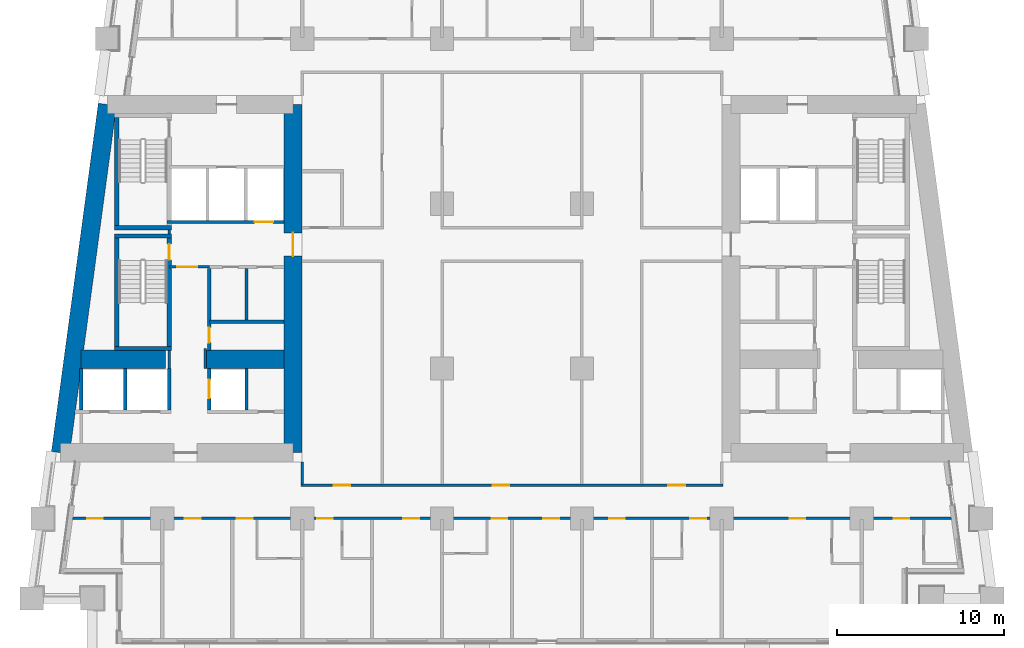
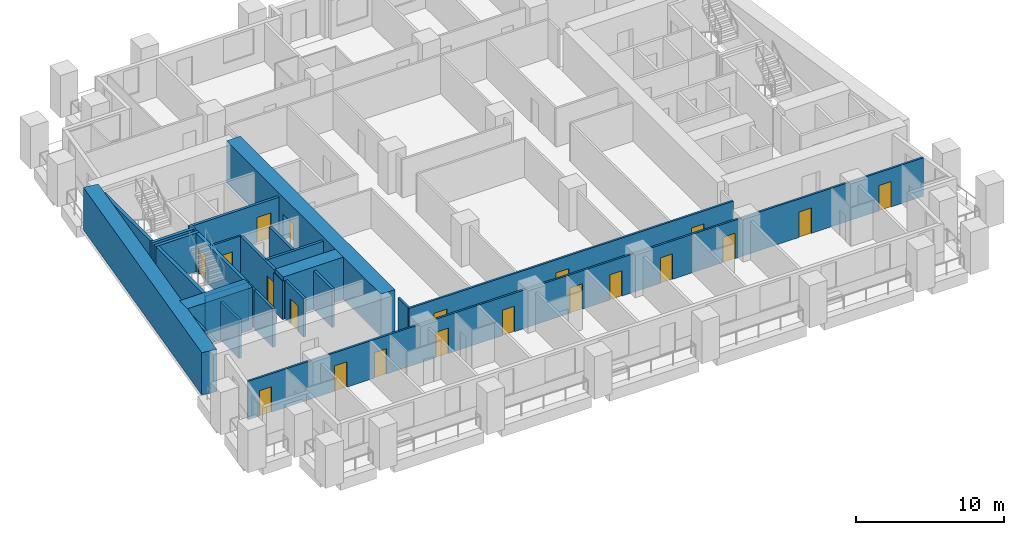
# One storey, part 3 of 12: 26 walls, 20 doors, 20 openings.
"""IFC4 building model written with IfcOpenShell, lengths in metres."""

from ifc_helpers import new_model, si_unit, direction, frame, frame_2d, origin, place, context, subcontext, project, spatial, rectangle, extrude, material, layer, layer_set, type_object, element, fill, save


model = new_model("IFC4")

# Units and contexts
model_context = context("Model", 3, precision=1e-05, world=origin(), true_north=direction((0.0, 1.0)))
body_context = subcontext(model_context, "Body", "Model", "MODEL_VIEW")
ifc_project = project(units=[si_unit("LENGTHUNIT", "METRE"), si_unit("AREAUNIT", "SQUARE_METRE"), si_unit("VOLUMEUNIT", "CUBIC_METRE"), si_unit("PLANEANGLEUNIT", "RADIAN"), si_unit("MASSUNIT", "GRAM", prefix="KILO")], contexts=[model_context])

# Site, building, storey
site_placement = place(None, origin())
site = spatial("IfcSite", under=ifc_project, at=site_placement, CompositionType="ELEMENT")
building_placement = place(site_placement, origin())
building = spatial("IfcBuilding", under=site, at=building_placement, Name="Candeia Pilgrim Tower and Theatre", CompositionType="ELEMENT")
storey_placement = place(building_placement, frame((0.0, 0.0, 53.0)))
storey = spatial("IfcBuildingStorey", under=building, at=storey_placement, Name="L10", CompositionType="ELEMENT", Elevation=53.0)

# Wall, opening, door
ifc_material_1 = material(Name="Concrete C80/95", Category="concrete")
ifc_layer_1 = layer(ifc_material_1, 1.10009765625)
ifc_layer_set_1 = layer_set([ifc_layer_1], Name="Core wall 1100 C80/95")
wall_type_1 = type_object("IfcWallType", Name="Core wall 1100 C80/95", PredefinedType="SHEAR", material=ifc_layer_set_1)
wall_1_placement = place(storey_placement, frame((100.25, 131.85009765625, 0.0), z_axis=(0.0, 0.0, 1.0), x_axis=(0.0, -1.0, 0.0)))
wall_1 = element("IfcWall", 1, at=wall_1_placement, inside=storey, type_object=wall_type_1, Name="Core wall W2", PredefinedType="SHEAR", context=body_context, shape_type="SweptSolid", body=[
    extrude(rectangle(XDim=20.900146484375, YDim=1.10009765625, at=frame_2d((10.4501953125, 0.0))), origin(), (0.0, 0.0, 1.0), 3.5),
])
opening_1_placement = place(wall_1_placement, frame((7.699951171875, 0.0, 0.0)))
opening_1 = element("IfcOpeningElement", 2, at=opening_1_placement, cuts=wall_1, Name="Opening L10-D054", PredefinedType="OPENING", context=body_context, shape_type="SweptSolid", body=[
    extrude(rectangle(XDim=1.39990234375, YDim=2.10009765625, at=frame_2d((0.699951171875, 1.050048828125))), frame((0.0, 0.56005859375, 0.0), z_axis=(0.0, -1.0, 0.0), x_axis=(1.0, 0.0, 0.0)), (0.0, 0.0, 1.0), 1.1201171875),
])
ifc_material_2 = material(Name="Steel fire door set", Category="steel")
door_type_1 = type_object("IfcDoorType", Name="D-1400-FD60", OperationType="NOTDEFINED", PredefinedType="DOOR", material=ifc_material_2)
door_1_placement = place(opening_1_placement, origin())
door_1 = element("IfcDoor", 3, at=door_1_placement, inside=storey, type_object=door_type_1, Name="Door L10-D054", OperationType="SINGLE_SWING_RIGHT", OverallHeight=2.10009765625, OverallWidth=1.39990234375, PredefinedType="DOOR", context=body_context, shape_type="SweptSolid", body=[
    extrude(rectangle(XDim=1.39990234375, YDim=2.10009765625, at=frame_2d((0.699951171875, 1.050048828125))), frame((0.0, 0.02490234375, 0.0), z_axis=(0.0, -1.0, 0.0), x_axis=(1.0, 0.0, 0.0)), (0.0, 0.0, 1.0), 0.050048828125),
])
fill(opening_1, door_1)

# Walls
wall_2_placement = place(storey_placement, frame((86.29833984375, 110.949951171875, 0.0), z_axis=(0.0, 0.0, 1.0), x_axis=(0.133400422634, 0.99106222168, 0.0)))
element("IfcWall", 4, at=wall_2_placement, inside=storey, type_object=wall_type_1, Name="Core wall W4", PredefinedType="SHEAR", context=body_context, shape_type="SweptSolid", body=[
    extrude(rectangle(XDim=21.088623046875, YDim=1.10009765625, at=frame_2d((10.54443359375, 0.0))), origin(), (0.0, 0.0, 1.0), 3.5),
])
wall_3_placement = place(storey_placement, frame((87.523193359375, 116.550048828125, 0.0), z_axis=(0.0, 0.0, 1.0), x_axis=(1.0, 0.0, 0.0)))
element("IfcWall", 5, at=wall_3_placement, inside=storey, type_object=wall_type_1, Name="Core wall W5", PredefinedType="SHEAR", context=body_context, shape_type="SweptSolid", body=[
    extrude(rectangle(XDim=5.076904296875, YDim=1.10009765625, at=frame_2d((2.53857421875, 0.0))), origin(), (0.0, 0.0, 1.0), 3.5),
])
wall_4_placement = place(storey_placement, frame((95.0, 116.550048828125, 0.0), z_axis=(0.0, 0.0, 1.0), x_axis=(1.0, 0.0, 0.0)))
element("IfcWall", 6, at=wall_4_placement, inside=storey, type_object=wall_type_1, Name="Core wall W6", PredefinedType="SHEAR", context=body_context, shape_type="SweptSolid", body=[
    extrude(rectangle(XDim=4.699951171875, YDim=1.10009765625, at=frame_2d((2.35009765625, 0.0))), origin(), (0.0, 0.0, 1.0), 3.5),
])

# Wall, opening, door
ifc_material_3 = material(Name="Gypsum board partition on steel studs", Category="steel")
ifc_layer_2 = layer(ifc_material_3, 0.14990234375)
ifc_layer_set_2 = layer_set([ifc_layer_2], Name="PW-150 lobby wall")
wall_type_2 = type_object("IfcWallType", Name="PW-150 lobby wall", PredefinedType="PARTITIONING", material=ifc_layer_set_2)
wall_5_placement = place(storey_placement, frame((92.826904296875, 122.10009765625, 0.0), z_axis=(0.0, 0.0, 1.0), x_axis=(1.0, 0.0, 0.0)))
wall_5 = element("IfcWall", 7, at=wall_5_placement, inside=storey, type_object=wall_type_2, Name="Lobby wall L10-020", PredefinedType="PARTITIONING", context=body_context, shape_type="SweptSolid", body=[
    extrude(rectangle(XDim=2.400146484375, YDim=0.14990234375, at=frame_2d((1.2001953125, 0.0))), origin(), (0.0, 0.0, 1.0), 3.179931640625),
])
opening_2_placement = place(wall_5_placement, frame((0.47509765625, 0.0, 0.0)))
opening_2 = element("IfcOpeningElement", 8, at=opening_2_placement, cuts=wall_5, Name="Opening L10-D001", PredefinedType="OPENING", context=body_context, shape_type="SweptSolid", body=[
    extrude(rectangle(XDim=1.199951171875, YDim=2.10009765625, at=frame_2d((0.60009765625, 1.050048828125))), frame((0.0, 0.0849609375, 0.0), z_axis=(0.0, -1.0, 0.0), x_axis=(1.0, 0.0, 0.0)), (0.0, 0.0, 1.0), 0.169921875),
])
door_type_2 = type_object("IfcDoorType", Name="D-1200-FD60", OperationType="NOTDEFINED", PredefinedType="DOOR", material=ifc_material_2)
door_2_placement = place(opening_2_placement, origin())
door_2 = element("IfcDoor", 9, at=door_2_placement, inside=storey, type_object=door_type_2, Name="Door L10-D001", OperationType="SINGLE_SWING_LEFT", OverallHeight=2.10009765625, OverallWidth=1.199951171875, PredefinedType="DOOR", context=body_context, shape_type="SweptSolid", body=[
    extrude(rectangle(XDim=1.199951171875, YDim=2.10009765625, at=frame_2d((0.60009765625, 1.050048828125))), frame((0.0, 0.02490234375, 0.0), z_axis=(0.0, -1.0, 0.0), x_axis=(1.0, 0.0, 0.0)), (0.0, 0.0, 1.0), 0.050048828125),
])
fill(opening_2, door_2)

# Walls
wall_6_placement = place(storey_placement, frame((92.826904296875, 116.0, 0.0), z_axis=(0.0, 0.0, 1.0), x_axis=(0.0, 1.0, 0.0)))
element("IfcWall", 10, at=wall_6_placement, inside=storey, type_object=wall_type_2, Name="Lobby wall L10-054", PredefinedType="PARTITIONING", context=body_context, shape_type="SweptSolid", body=[
    extrude(rectangle(XDim=1.070068359375, YDim=0.14990234375, at=frame_2d((0.53515625, 0.0))), origin(), (0.0, 0.0, 1.0), 3.179931640625),
])
wall_7_placement = place(storey_placement, frame((92.826904296875, 124.074951171875, 0.0), z_axis=(0.0, 0.0, 1.0), x_axis=(0.0, 1.0, 0.0)))
element("IfcWall", 11, at=wall_7_placement, inside=storey, type_object=wall_type_2, Name="Lobby wall L10-055", PredefinedType="PARTITIONING", context=body_context, shape_type="SweptSolid", body=[
    extrude(rectangle(XDim=0.25, YDim=0.14990234375, at=frame_2d((0.125, 0.0))), origin(), (0.0, 0.0, 1.0), 3.179931640625),
])
wall_8_placement = place(storey_placement, frame((95.0, 116.0, 0.0), z_axis=(0.0, 0.0, 1.0), x_axis=(0.0, 1.0, 0.0)))
element("IfcWall", 12, at=wall_8_placement, inside=storey, type_object=wall_type_2, Name="Lobby wall L10-059", PredefinedType="PARTITIONING", context=body_context, shape_type="SweptSolid", body=[
    extrude(rectangle(XDim=1.199951171875, YDim=0.14990234375, at=frame_2d((0.60009765625, 0.0))), origin(), (0.0, 0.0, 1.0), 3.179931640625),
])

# Wall, openings, doors
ifc_layer_3 = layer(ifc_material_3, 0.14990234375)
ifc_layer_set_3 = layer_set([ifc_layer_3], Name="PW-150 unit wall")
wall_type_3 = type_object("IfcWallType", Name="PW-150 unit wall", PredefinedType="PARTITIONING", material=ifc_layer_set_3)
wall_9_placement = place(storey_placement, frame((87.017578125, 107.0, 0.0), z_axis=(0.0, 0.0, 1.0), x_axis=(1.0, 0.0, 0.0)))
wall_9 = element("IfcWall", 13, at=wall_9_placement, inside=storey, type_object=wall_type_3, Name="Unit wall L10-008", PredefinedType="PARTITIONING", context=body_context, shape_type="SweptSolid", body=[
    extrude(rectangle(XDim=52.7646484375, YDim=0.14990234375, at=frame_2d((26.38232421875, 0.0))), origin(), (0.0, 0.0, 1.0), 3.179931640625),
])
opening_3_placement = place(wall_9_placement, frame((0.870361328125, 0.0, 0.0)))
opening_3 = element("IfcOpeningElement", 14, at=opening_3_placement, cuts=wall_9, Name="Opening L10-D017", PredefinedType="OPENING", context=body_context, shape_type="SweptSolid", body=[
    extrude(rectangle(XDim=0.949951171875, YDim=2.10009765625, at=frame_2d((0.47509765625, 1.050048828125))), frame((0.0, 0.0849609375, 0.0), z_axis=(0.0, -1.0, 0.0), x_axis=(1.0, 0.0, 0.0)), (0.0, 0.0, 1.0), 0.169921875),
])
opening_4_placement = place(wall_9_placement, frame((6.752197265625, 0.0, 0.0)))
opening_4 = element("IfcOpeningElement", 15, at=opening_4_placement, cuts=wall_9, Name="Opening L10-D019", PredefinedType="OPENING", context=body_context, shape_type="SweptSolid", body=[
    extrude(rectangle(XDim=0.949951171875, YDim=2.10009765625, at=frame_2d((0.47509765625, 1.050048828125))), frame((0.0, 0.0849609375, 0.0), z_axis=(0.0, -1.0, 0.0), x_axis=(1.0, 0.0, 0.0)), (0.0, 0.0, 1.0), 0.169921875),
])
opening_5_placement = place(wall_9_placement, frame((9.857421875, 0.0, 0.0)))
opening_5 = element("IfcOpeningElement", 16, at=opening_5_placement, cuts=wall_9, Name="Opening L10-D020", PredefinedType="OPENING", context=body_context, shape_type="SweptSolid", body=[
    extrude(rectangle(XDim=0.949951171875, YDim=2.10009765625, at=frame_2d((0.47509765625, 1.050048828125))), frame((0.0, 0.0849609375, 0.0), z_axis=(0.0, -1.0, 0.0), x_axis=(1.0, 0.0, 0.0)), (0.0, 0.0, 1.0), 0.169921875),
])
opening_6_placement = place(wall_9_placement, frame((14.682373046875, 0.0, 0.0)))
opening_6 = element("IfcOpeningElement", 17, at=opening_6_placement, cuts=wall_9, Name="Opening L10-D022", PredefinedType="OPENING", context=body_context, shape_type="SweptSolid", body=[
    extrude(rectangle(XDim=0.949951171875, YDim=2.10009765625, at=frame_2d((0.47509765625, 1.050048828125))), frame((0.0, 0.0849609375, 0.0), z_axis=(0.0, -1.0, 0.0), x_axis=(1.0, 0.0, 0.0)), (0.0, 0.0, 1.0), 0.169921875),
])
opening_7_placement = place(wall_9_placement, frame((19.8623046875, 0.0, 0.0)))
opening_7 = element("IfcOpeningElement", 18, at=opening_7_placement, cuts=wall_9, Name="Opening L10-D024", PredefinedType="OPENING", context=body_context, shape_type="SweptSolid", body=[
    extrude(rectangle(XDim=0.949951171875, YDim=2.10009765625, at=frame_2d((0.47509765625, 1.050048828125))), frame((0.0, 0.0849609375, 0.0), z_axis=(0.0, -1.0, 0.0), x_axis=(1.0, 0.0, 0.0)), (0.0, 0.0, 1.0), 0.169921875),
])
opening_8_placement = place(wall_9_placement, frame((25.1572265625, 0.0, 0.0)))
opening_8 = element("IfcOpeningElement", 19, at=opening_8_placement, cuts=wall_9, Name="Opening L10-D025", PredefinedType="OPENING", context=body_context, shape_type="SweptSolid", body=[
    extrude(rectangle(XDim=0.949951171875, YDim=2.10009765625, at=frame_2d((0.47509765625, 1.050048828125))), frame((0.0, 0.0849609375, 0.0), z_axis=(0.0, -1.0, 0.0), x_axis=(1.0, 0.0, 0.0)), (0.0, 0.0, 1.0), 0.169921875),
])
opening_9_placement = place(wall_9_placement, frame((28.26220703125, 0.0, 0.0)))
opening_9 = element("IfcOpeningElement", 20, at=opening_9_placement, cuts=wall_9, Name="Opening L10-D027", PredefinedType="OPENING", context=body_context, shape_type="SweptSolid", body=[
    extrude(rectangle(XDim=0.949951171875, YDim=2.10009765625, at=frame_2d((0.47509765625, 1.050048828125))), frame((0.0, 0.0849609375, 0.0), z_axis=(0.0, -1.0, 0.0), x_axis=(1.0, 0.0, 0.0)), (0.0, 0.0, 1.0), 0.169921875),
])
opening_10_placement = place(wall_9_placement, frame((32.207275390625, 0.0, 0.0)))
opening_10 = element("IfcOpeningElement", 21, at=opening_10_placement, cuts=wall_9, Name="Opening L10-D028", PredefinedType="OPENING", context=body_context, shape_type="SweptSolid", body=[
    extrude(rectangle(XDim=0.949951171875, YDim=2.10009765625, at=frame_2d((0.47509765625, 1.050048828125))), frame((0.0, 0.0849609375, 0.0), z_axis=(0.0, -1.0, 0.0), x_axis=(1.0, 0.0, 0.0)), (0.0, 0.0, 1.0), 0.169921875),
])
opening_11_placement = place(wall_9_placement, frame((37.09423828125, 0.0, 0.0)))
opening_11 = element("IfcOpeningElement", 22, at=opening_11_placement, cuts=wall_9, Name="Opening L10-D029", PredefinedType="OPENING", context=body_context, shape_type="SweptSolid", body=[
    extrude(rectangle(XDim=0.949951171875, YDim=2.10009765625, at=frame_2d((0.47509765625, 1.050048828125))), frame((0.0, 0.0849609375, 0.0), z_axis=(0.0, -1.0, 0.0), x_axis=(1.0, 0.0, 0.0)), (0.0, 0.0, 1.0), 0.169921875),
])
opening_12_placement = place(wall_9_placement, frame((43.04541015625, 0.0, 0.0)))
opening_12 = element("IfcOpeningElement", 23, at=opening_12_placement, cuts=wall_9, Name="Opening L10-D031", PredefinedType="OPENING", context=body_context, shape_type="SweptSolid", body=[
    extrude(rectangle(XDim=0.949951171875, YDim=2.10009765625, at=frame_2d((0.47509765625, 1.050048828125))), frame((0.0, 0.0849609375, 0.0), z_axis=(0.0, -1.0, 0.0), x_axis=(1.0, 0.0, 0.0)), (0.0, 0.0, 1.0), 0.169921875),
])
opening_13_placement = place(wall_9_placement, frame((49.285400390625, 0.0, 0.0)))
opening_13 = element("IfcOpeningElement", 24, at=opening_13_placement, cuts=wall_9, Name="Opening L10-D033", PredefinedType="OPENING", context=body_context, shape_type="SweptSolid", body=[
    extrude(rectangle(XDim=0.949951171875, YDim=2.10009765625, at=frame_2d((0.47509765625, 1.050048828125))), frame((0.0, 0.0849609375, 0.0), z_axis=(0.0, -1.0, 0.0), x_axis=(1.0, 0.0, 0.0)), (0.0, 0.0, 1.0), 0.169921875),
])
door_type_3 = type_object("IfcDoorType", Name="D-950-FD30S", OperationType="NOTDEFINED", PredefinedType="DOOR", material=ifc_material_2)
door_3_placement = place(opening_3_placement, origin())
door_3 = element("IfcDoor", 25, at=door_3_placement, inside=storey, type_object=door_type_3, Name="Door L10-D017", OperationType="SINGLE_SWING_LEFT", OverallHeight=2.10009765625, OverallWidth=0.949951171875, PredefinedType="DOOR", context=body_context, shape_type="SweptSolid", body=[
    extrude(rectangle(XDim=0.949951171875, YDim=2.10009765625, at=frame_2d((0.47509765625, 1.050048828125))), frame((0.0, 0.02490234375, 0.0), z_axis=(0.0, -1.0, 0.0), x_axis=(1.0, 0.0, 0.0)), (0.0, 0.0, 1.0), 0.050048828125),
])
fill(opening_3, door_3)
door_4_placement = place(opening_4_placement, origin())
door_4 = element("IfcDoor", 26, at=door_4_placement, inside=storey, type_object=door_type_3, Name="Door L10-D019", OperationType="SINGLE_SWING_LEFT", OverallHeight=2.10009765625, OverallWidth=0.949951171875, PredefinedType="DOOR", context=body_context, shape_type="SweptSolid", body=[
    extrude(rectangle(XDim=0.949951171875, YDim=2.10009765625, at=frame_2d((0.47509765625, 1.050048828125))), frame((0.0, 0.02490234375, 0.0), z_axis=(0.0, -1.0, 0.0), x_axis=(1.0, 0.0, 0.0)), (0.0, 0.0, 1.0), 0.050048828125),
])
fill(opening_4, door_4)
door_5_placement = place(opening_5_placement, origin())
door_5 = element("IfcDoor", 27, at=door_5_placement, inside=storey, type_object=door_type_3, Name="Door L10-D020", OperationType="SINGLE_SWING_RIGHT", OverallHeight=2.10009765625, OverallWidth=0.949951171875, PredefinedType="DOOR", context=body_context, shape_type="SweptSolid", body=[
    extrude(rectangle(XDim=0.949951171875, YDim=2.10009765625, at=frame_2d((0.47509765625, 1.050048828125))), frame((0.0, 0.02490234375, 0.0), z_axis=(0.0, -1.0, 0.0), x_axis=(1.0, 0.0, 0.0)), (0.0, 0.0, 1.0), 0.050048828125),
])
fill(opening_5, door_5)
door_6_placement = place(opening_6_placement, origin())
door_6 = element("IfcDoor", 28, at=door_6_placement, inside=storey, type_object=door_type_3, Name="Door L10-D022", OperationType="SINGLE_SWING_RIGHT", OverallHeight=2.10009765625, OverallWidth=0.949951171875, PredefinedType="DOOR", context=body_context, shape_type="SweptSolid", body=[
    extrude(rectangle(XDim=0.949951171875, YDim=2.10009765625, at=frame_2d((0.47509765625, 1.050048828125))), frame((0.0, 0.02490234375, 0.0), z_axis=(0.0, -1.0, 0.0), x_axis=(1.0, 0.0, 0.0)), (0.0, 0.0, 1.0), 0.050048828125),
])
fill(opening_6, door_6)
door_7_placement = place(opening_7_placement, origin())
door_7 = element("IfcDoor", 29, at=door_7_placement, inside=storey, type_object=door_type_3, Name="Door L10-D024", OperationType="SINGLE_SWING_RIGHT", OverallHeight=2.10009765625, OverallWidth=0.949951171875, PredefinedType="DOOR", context=body_context, shape_type="SweptSolid", body=[
    extrude(rectangle(XDim=0.949951171875, YDim=2.10009765625, at=frame_2d((0.47509765625, 1.050048828125))), frame((0.0, 0.02490234375, 0.0), z_axis=(0.0, -1.0, 0.0), x_axis=(1.0, 0.0, 0.0)), (0.0, 0.0, 1.0), 0.050048828125),
])
fill(opening_7, door_7)
door_8_placement = place(opening_8_placement, origin())
door_8 = element("IfcDoor", 30, at=door_8_placement, inside=storey, type_object=door_type_3, Name="Door L10-D025", OperationType="SINGLE_SWING_LEFT", OverallHeight=2.10009765625, OverallWidth=0.949951171875, PredefinedType="DOOR", context=body_context, shape_type="SweptSolid", body=[
    extrude(rectangle(XDim=0.949951171875, YDim=2.10009765625, at=frame_2d((0.47509765625, 1.050048828125))), frame((0.0, 0.02490234375, 0.0), z_axis=(0.0, -1.0, 0.0), x_axis=(1.0, 0.0, 0.0)), (0.0, 0.0, 1.0), 0.050048828125),
])
fill(opening_8, door_8)
door_9_placement = place(opening_9_placement, origin())
door_9 = element("IfcDoor", 31, at=door_9_placement, inside=storey, type_object=door_type_3, Name="Door L10-D027", OperationType="SINGLE_SWING_LEFT", OverallHeight=2.10009765625, OverallWidth=0.949951171875, PredefinedType="DOOR", context=body_context, shape_type="SweptSolid", body=[
    extrude(rectangle(XDim=0.949951171875, YDim=2.10009765625, at=frame_2d((0.47509765625, 1.050048828125))), frame((0.0, 0.02490234375, 0.0), z_axis=(0.0, -1.0, 0.0), x_axis=(1.0, 0.0, 0.0)), (0.0, 0.0, 1.0), 0.050048828125),
])
fill(opening_9, door_9)
door_10_placement = place(opening_10_placement, origin())
door_10 = element("IfcDoor", 32, at=door_10_placement, inside=storey, type_object=door_type_3, Name="Door L10-D028", OperationType="SINGLE_SWING_RIGHT", OverallHeight=2.10009765625, OverallWidth=0.949951171875, PredefinedType="DOOR", context=body_context, shape_type="SweptSolid", body=[
    extrude(rectangle(XDim=0.949951171875, YDim=2.10009765625, at=frame_2d((0.47509765625, 1.050048828125))), frame((0.0, 0.02490234375, 0.0), z_axis=(0.0, -1.0, 0.0), x_axis=(1.0, 0.0, 0.0)), (0.0, 0.0, 1.0), 0.050048828125),
])
fill(opening_10, door_10)
door_11_placement = place(opening_11_placement, origin())
door_11 = element("IfcDoor", 33, at=door_11_placement, inside=storey, type_object=door_type_3, Name="Door L10-D029", OperationType="SINGLE_SWING_LEFT", OverallHeight=2.10009765625, OverallWidth=0.949951171875, PredefinedType="DOOR", context=body_context, shape_type="SweptSolid", body=[
    extrude(rectangle(XDim=0.949951171875, YDim=2.10009765625, at=frame_2d((0.47509765625, 1.050048828125))), frame((0.0, 0.02490234375, 0.0), z_axis=(0.0, -1.0, 0.0), x_axis=(1.0, 0.0, 0.0)), (0.0, 0.0, 1.0), 0.050048828125),
])
fill(opening_11, door_11)
door_12_placement = place(opening_12_placement, origin())
door_12 = element("IfcDoor", 34, at=door_12_placement, inside=storey, type_object=door_type_3, Name="Door L10-D031", OperationType="SINGLE_SWING_LEFT", OverallHeight=2.10009765625, OverallWidth=0.949951171875, PredefinedType="DOOR", context=body_context, shape_type="SweptSolid", body=[
    extrude(rectangle(XDim=0.949951171875, YDim=2.10009765625, at=frame_2d((0.47509765625, 1.050048828125))), frame((0.0, 0.02490234375, 0.0), z_axis=(0.0, -1.0, 0.0), x_axis=(1.0, 0.0, 0.0)), (0.0, 0.0, 1.0), 0.050048828125),
])
fill(opening_12, door_12)
door_13_placement = place(opening_13_placement, origin())
door_13 = element("IfcDoor", 35, at=door_13_placement, inside=storey, type_object=door_type_3, Name="Door L10-D033", OperationType="SINGLE_SWING_LEFT", OverallHeight=2.10009765625, OverallWidth=0.949951171875, PredefinedType="DOOR", context=body_context, shape_type="SweptSolid", body=[
    extrude(rectangle(XDim=0.949951171875, YDim=2.10009765625, at=frame_2d((0.47509765625, 1.050048828125))), frame((0.0, 0.02490234375, 0.0), z_axis=(0.0, -1.0, 0.0), x_axis=(1.0, 0.0, 0.0)), (0.0, 0.0, 1.0), 0.050048828125),
])
fill(opening_13, door_13)

wall_10_placement = place(storey_placement, frame((100.72509765625, 109.0, 0.0), z_axis=(0.0, 0.0, 1.0), x_axis=(1.0, 0.0, 0.0)))
wall_10 = element("IfcWall", 36, at=wall_10_placement, inside=storey, type_object=wall_type_3, Name="Unit wall L10-009", PredefinedType="PARTITIONING", context=body_context, shape_type="SweptSolid", body=[
    extrude(rectangle(XDim=25.349853515625, YDim=0.14990234375, at=frame_2d((12.6748046875, 0.0))), origin(), (0.0, 0.0, 1.0), 3.179931640625),
])
opening_14_placement = place(wall_10_placement, frame((1.97509765625, 0.0, 0.0)))
opening_14 = element("IfcOpeningElement", 37, at=opening_14_placement, cuts=wall_10, Name="Opening L10-D046", PredefinedType="OPENING", context=body_context, shape_type="SweptSolid", body=[
    extrude(rectangle(XDim=1.0, YDim=2.10009765625, at=frame_2d((0.5, 1.050048828125))), frame((0.0, 0.0849609375, 0.0), z_axis=(0.0, -1.0, 0.0), x_axis=(1.0, 0.0, 0.0)), (0.0, 0.0, 1.0), 0.169921875),
])
opening_15_placement = place(wall_10_placement, frame((11.5048828125, 0.0, 0.0)))
opening_15 = element("IfcOpeningElement", 38, at=opening_15_placement, cuts=wall_10, Name="Opening L10-D047", PredefinedType="OPENING", context=body_context, shape_type="SweptSolid", body=[
    extrude(rectangle(XDim=1.0, YDim=2.10009765625, at=frame_2d((0.5, 1.050048828125))), frame((0.0, 0.0849609375, 0.0), z_axis=(0.0, -1.0, 0.0), x_axis=(1.0, 0.0, 0.0)), (0.0, 0.0, 1.0), 0.169921875),
])
opening_16_placement = place(wall_10_placement, frame((22.06494140625, 0.0, 0.0)))
opening_16 = element("IfcOpeningElement", 39, at=opening_16_placement, cuts=wall_10, Name="Opening L10-D048", PredefinedType="OPENING", context=body_context, shape_type="SweptSolid", body=[
    extrude(rectangle(XDim=1.0, YDim=2.10009765625, at=frame_2d((0.5, 1.050048828125))), frame((0.0, 0.0849609375, 0.0), z_axis=(0.0, -1.0, 0.0), x_axis=(1.0, 0.0, 0.0)), (0.0, 0.0, 1.0), 0.169921875),
])
door_type_4 = type_object("IfcDoorType", Name="D-1000-FD30S", OperationType="NOTDEFINED", PredefinedType="DOOR", material=ifc_material_2)
door_14_placement = place(opening_14_placement, origin())
door_14 = element("IfcDoor", 40, at=door_14_placement, inside=storey, type_object=door_type_4, Name="Door L10-D046", OperationType="SINGLE_SWING_RIGHT", OverallHeight=2.10009765625, OverallWidth=1.0, PredefinedType="DOOR", context=body_context, shape_type="SweptSolid", body=[
    extrude(rectangle(XDim=1.0, YDim=2.10009765625, at=frame_2d((0.5, 1.050048828125))), frame((0.0, 0.02490234375, 0.0), z_axis=(0.0, -1.0, 0.0), x_axis=(1.0, 0.0, 0.0)), (0.0, 0.0, 1.0), 0.050048828125),
])
fill(opening_14, door_14)
door_15_placement = place(opening_15_placement, origin())
door_15 = element("IfcDoor", 41, at=door_15_placement, inside=storey, type_object=door_type_4, Name="Door L10-D047", OperationType="SINGLE_SWING_LEFT", OverallHeight=2.10009765625, OverallWidth=1.0, PredefinedType="DOOR", context=body_context, shape_type="SweptSolid", body=[
    extrude(rectangle(XDim=1.0, YDim=2.10009765625, at=frame_2d((0.5, 1.050048828125))), frame((0.0, 0.02490234375, 0.0), z_axis=(0.0, -1.0, 0.0), x_axis=(1.0, 0.0, 0.0)), (0.0, 0.0, 1.0), 0.050048828125),
])
fill(opening_15, door_15)
door_16_placement = place(opening_16_placement, origin())
door_16 = element("IfcDoor", 42, at=door_16_placement, inside=storey, type_object=door_type_4, Name="Door L10-D048", OperationType="SINGLE_SWING_RIGHT", OverallHeight=2.10009765625, OverallWidth=1.0, PredefinedType="DOOR", context=body_context, shape_type="SweptSolid", body=[
    extrude(rectangle(XDim=1.0, YDim=2.10009765625, at=frame_2d((0.5, 1.050048828125))), frame((0.0, 0.02490234375, 0.0), z_axis=(0.0, -1.0, 0.0), x_axis=(1.0, 0.0, 0.0)), (0.0, 0.0, 1.0), 0.050048828125),
])
fill(opening_16, door_16)

# Walls
wall_11_placement = place(storey_placement, frame((100.800048828125, 109.074951171875, 0.0), z_axis=(0.0, 0.0, 1.0), x_axis=(0.0, 1.0, 0.0)))
element("IfcWall", 43, at=wall_11_placement, inside=storey, type_object=wall_type_3, Name="Unit wall L10-071", PredefinedType="PARTITIONING", context=body_context, shape_type="SweptSolid", body=[
    extrude(rectangle(XDim=1.324951171875, YDim=0.14990234375, at=frame_2d((0.66259765625, 0.0))), origin(), (0.0, 0.0, 1.0), 3.179931640625),
])
ifc_material_4 = material(Name="Concrete C40/50", Category="concrete")
ifc_layer_4 = layer(ifc_material_4, 0.199951171875)
ifc_layer_set_4 = layer_set([ifc_layer_4], Name="SW-200 shaft wall")
wall_type_4 = type_object("IfcWallType", Name="SW-200 shaft wall", PredefinedType="PARTITIONING", material=ifc_layer_set_4)
wall_12_placement = place(storey_placement, frame((95.22705078125, 118.800048828125, 0.0), z_axis=(0.0, 0.0, 1.0), x_axis=(1.0, 0.0, 0.0)))
element("IfcWall", 44, at=wall_12_placement, inside=storey, type_object=wall_type_4, Name="Shaft wall L10-016", PredefinedType="PARTITIONING", context=body_context, shape_type="SweptSolid", body=[
    extrude(rectangle(XDim=4.472900390625, YDim=0.199951171875, at=frame_2d((2.236328125, 0.0))), origin(), (0.0, 0.0, 1.0), 3.179931640625),
])

# Wall, opening, door
wall_13_placement = place(storey_placement, frame((92.701904296875, 124.800048828125, 0.0), z_axis=(0.0, 0.0, 1.0), x_axis=(1.0, 0.0, 0.0)))
wall_13 = element("IfcWall", 45, at=wall_13_placement, inside=storey, type_object=wall_type_4, Name="Shaft wall L10-032", PredefinedType="PARTITIONING", context=body_context, shape_type="SweptSolid", body=[
    extrude(rectangle(XDim=6.998046875, YDim=0.199951171875, at=frame_2d((3.4990234375, 0.0))), origin(), (0.0, 0.0, 1.0), 3.179931640625),
])
opening_17_placement = place(wall_13_placement, frame((5.2529296875, 0.0, 0.0)))
opening_17 = element("IfcOpeningElement", 46, at=opening_17_placement, cuts=wall_13, Name="Opening L10-LD02", PredefinedType="OPENING", context=body_context, shape_type="SweptSolid", body=[
    extrude(rectangle(XDim=1.10009765625, YDim=2.10009765625, at=frame_2d((0.550048828125, 1.050048828125))), frame((0.0, 0.10986328125, 0.0), z_axis=(0.0, -1.0, 0.0), x_axis=(1.0, 0.0, 0.0)), (0.0, 0.0, 1.0), 0.219970703125),
])
ifc_material_5 = material(Name="Glazed aluminium landing door", Category="aluminium")
door_type_5 = type_object("IfcDoorType", Name="LD-1100-EI120", OperationType="SLIDING_TO_LEFT", PredefinedType="DOOR", material=ifc_material_5)
door_17_placement = place(opening_17_placement, origin())
door_17 = element("IfcDoor", 47, at=door_17_placement, inside=storey, type_object=door_type_5, Name="Landing door 02 L10", OperationType="SLIDING_TO_LEFT", OverallHeight=2.10009765625, OverallWidth=1.10009765625, PredefinedType="DOOR", context=body_context, shape_type="SweptSolid", body=[
    extrude(rectangle(XDim=1.10009765625, YDim=2.10009765625, at=frame_2d((0.550048828125, 1.050048828125))), frame((0.0, 0.02490234375, 0.0), z_axis=(0.0, -1.0, 0.0), x_axis=(1.0, 0.0, 0.0)), (0.0, 0.0, 1.0), 0.050048828125),
])
fill(opening_17, door_17)

# Walls
for number, where, z_axis, x_axis, name in (
    (48, (87.552001953125, 113.5, 0.0), (0.0, 0.0, 1.0), (0.0, 1.0, 0.0), "Shaft wall L10-046"),
    (49, (90.178466796875, 113.5, 0.0), (0.0, 0.0, 1.0), (0.0, 1.0, 0.0), "Shaft wall L10-051"),
    (50, (92.826904296875, 113.5, 0.0), (0.0, 0.0, 1.0), (0.0, 1.0, 0.0), "Shaft wall L10-053"),
):
    element("IfcWall", number, at=place(storey_placement, frame(where, z_axis=z_axis, x_axis=x_axis)), inside=storey, type_object=wall_type_4, Name=name, PredefinedType="PARTITIONING", context=body_context, shape_type="SweptSolid", body=[
        extrude(rectangle(XDim=2.5, YDim=0.199951171875, at=frame_2d((1.25, 0.0))), origin(), (0.0, 0.0, 1.0), 3.179931640625),
    ])

# Wall, opening, door
wall_14_placement = place(storey_placement, frame((95.22705078125, 113.5, 0.0), z_axis=(0.0, 0.0, 1.0), x_axis=(0.0, 1.0, 0.0)))
wall_14 = element("IfcWall", 51, at=wall_14_placement, inside=storey, type_object=wall_type_4, Name="Shaft wall L10-061", PredefinedType="PARTITIONING", context=body_context, shape_type="SweptSolid", body=[
    extrude(rectangle(XDim=2.5, YDim=0.199951171875, at=frame_2d((1.25, 0.0))), origin(), (0.0, 0.0, 1.0), 3.179931640625),
])
opening_18_placement = place(wall_14_placement, frame((0.72998046875, 0.0, 0.0)))
opening_18 = element("IfcOpeningElement", 52, at=opening_18_placement, cuts=wall_14, Name="Opening L10-LD05", PredefinedType="OPENING", context=body_context, shape_type="SweptSolid", body=[
    extrude(rectangle(XDim=1.10009765625, YDim=2.10009765625, at=frame_2d((0.550048828125, 1.050048828125))), frame((0.0, 0.10986328125, 0.0), z_axis=(0.0, -1.0, 0.0), x_axis=(1.0, 0.0, 0.0)), (0.0, 0.0, 1.0), 0.219970703125),
])
door_18_placement = place(opening_18_placement, origin())
door_18 = element("IfcDoor", 53, at=door_18_placement, inside=storey, type_object=door_type_5, Name="Landing door 05 L10", OperationType="SLIDING_TO_LEFT", OverallHeight=2.10009765625, OverallWidth=1.10009765625, PredefinedType="DOOR", context=body_context, shape_type="SweptSolid", body=[
    extrude(rectangle(XDim=1.10009765625, YDim=2.10009765625, at=frame_2d((0.550048828125, 1.050048828125))), frame((0.0, 0.02490234375, 0.0), z_axis=(0.0, -1.0, 0.0), x_axis=(1.0, 0.0, 0.0)), (0.0, 0.0, 1.0), 0.050048828125),
])
fill(opening_18, door_18)

wall_15_placement = place(storey_placement, frame((95.22705078125, 117.070068359375, 0.0), z_axis=(0.0, 0.0, 1.0), x_axis=(0.0, 1.0, 0.0)))
wall_15 = element("IfcWall", 54, at=wall_15_placement, inside=storey, type_object=wall_type_4, Name="Shaft wall L10-062", PredefinedType="PARTITIONING", context=body_context, shape_type="SweptSolid", body=[
    extrude(rectangle(XDim=4.929931640625, YDim=0.199951171875, at=frame_2d((2.46484375, 0.0))), origin(), (0.0, 0.0, 1.0), 3.179931640625),
])
opening_19_placement = place(wall_15_placement, frame((0.47998046875, 0.0, 0.0)))
opening_19 = element("IfcOpeningElement", 55, at=opening_19_placement, cuts=wall_15, Name="Opening L10-D006", PredefinedType="OPENING", context=body_context, shape_type="SweptSolid", body=[
    extrude(rectangle(XDim=0.89990234375, YDim=2.10009765625, at=frame_2d((0.449951171875, 1.050048828125))), frame((0.0, 0.10986328125, 0.0), z_axis=(0.0, -1.0, 0.0), x_axis=(1.0, 0.0, 0.0)), (0.0, 0.0, 1.0), 0.219970703125),
])
door_type_6 = type_object("IfcDoorType", Name="D-900-FD60", OperationType="NOTDEFINED", PredefinedType="DOOR", material=ifc_material_2)
door_19_placement = place(opening_19_placement, origin())
door_19 = element("IfcDoor", 56, at=door_19_placement, inside=storey, type_object=door_type_6, Name="Door L10-D006", OperationType="SINGLE_SWING_RIGHT", OverallHeight=2.10009765625, OverallWidth=0.89990234375, PredefinedType="DOOR", context=body_context, shape_type="SweptSolid", body=[
    extrude(rectangle(XDim=0.89990234375, YDim=2.10009765625, at=frame_2d((0.449951171875, 1.050048828125))), frame((0.0, 0.02490234375, 0.0), z_axis=(0.0, -1.0, 0.0), x_axis=(1.0, 0.0, 0.0)), (0.0, 0.0, 1.0), 0.050048828125),
])
fill(opening_19, door_19)

# Walls
wall_16_placement = place(storey_placement, frame((97.46337890625, 113.5, 0.0), z_axis=(0.0, 0.0, 1.0), x_axis=(0.0, 1.0, 0.0)))
element("IfcWall", 57, at=wall_16_placement, inside=storey, type_object=wall_type_4, Name="Shaft wall L10-066", PredefinedType="PARTITIONING", context=body_context, shape_type="SweptSolid", body=[
    extrude(rectangle(XDim=2.5, YDim=0.199951171875, at=frame_2d((1.25, 0.0))), origin(), (0.0, 0.0, 1.0), 3.179931640625),
])
wall_17_placement = place(storey_placement, frame((97.46337890625, 118.89990234375, 0.0), z_axis=(0.0, 0.0, 1.0), x_axis=(0.0, 1.0, 0.0)))
element("IfcWall", 58, at=wall_17_placement, inside=storey, type_object=wall_type_4, Name="Shaft wall L10-067", PredefinedType="PARTITIONING", context=body_context, shape_type="SweptSolid", body=[
    extrude(rectangle(XDim=3.10009765625, YDim=0.199951171875, at=frame_2d((1.550048828125, 0.0))), origin(), (0.0, 0.0, 1.0), 3.179931640625),
])
ifc_layer_5 = layer(ifc_material_4, 0.25)
ifc_layer_set_5 = layer_set([ifc_layer_5], Name="SW-250 stair wall")
wall_type_5 = type_object("IfcWallType", Name="SW-250 stair wall", PredefinedType="PARTITIONING", material=ifc_layer_set_5)
for number, where, z_axis, x_axis, name in (
    (59, (89.552001953125, 117.199951171875, 0.0), (0.0, 0.0, 1.0), (1.0, 0.0, 0.0), "Stair wall L10-014"),
    (60, (89.552001953125, 123.949951171875, 0.0), (0.0, 0.0, 1.0), (1.0, 0.0, 0.0), "Stair wall L10-025"),
    (61, (89.552001953125, 124.449951171875, 0.0), (0.0, 0.0, 1.0), (1.0, 0.0, 0.0), "Stair wall L10-027"),
):
    element("IfcWall", number, at=place(storey_placement, frame(where, z_axis=z_axis, x_axis=x_axis)), inside=storey, type_object=wall_type_5, Name=name, PredefinedType="PARTITIONING", context=body_context, shape_type="SweptSolid", body=[
        extrude(rectangle(XDim=3.39990234375, YDim=0.25, at=frame_2d((1.699951171875, 0.0))), origin(), (0.0, 0.0, 1.0), 3.179931640625),
    ])
wall_18_placement = place(storey_placement, frame((89.677001953125, 117.070068359375, 0.0), z_axis=(0.0, 0.0, 1.0), x_axis=(0.0, 1.0, 0.0)))
element("IfcWall", 62, at=wall_18_placement, inside=storey, type_object=wall_type_5, Name="Stair wall L10-048", PredefinedType="PARTITIONING", context=body_context, shape_type="SweptSolid", body=[
    extrude(rectangle(XDim=6.7548828125, YDim=0.25, at=frame_2d((3.37744140625, 0.0))), origin(), (0.0, 0.0, 1.0), 3.179931640625),
])
wall_19_placement = place(storey_placement, frame((89.677001953125, 124.574951171875, 0.0), z_axis=(0.0, 0.0, 1.0), x_axis=(0.0, 1.0, 0.0)))
element("IfcWall", 63, at=wall_19_placement, inside=storey, type_object=wall_type_5, Name="Stair wall L10-049", PredefinedType="PARTITIONING", context=body_context, shape_type="SweptSolid", body=[
    extrude(rectangle(XDim=6.5, YDim=0.25, at=frame_2d((3.25, 0.0))), origin(), (0.0, 0.0, 1.0), 3.179931640625),
])

# Wall, opening, door
wall_20_placement = place(storey_placement, frame((92.826904296875, 117.070068359375, 0.0), z_axis=(0.0, 0.0, 1.0), x_axis=(0.0, 1.0, 0.0)))
wall_20 = element("IfcWall", 64, at=wall_20_placement, inside=storey, type_object=wall_type_5, Name="Stair wall L10-056", PredefinedType="PARTITIONING", context=body_context, shape_type="SweptSolid", body=[
    extrude(rectangle(XDim=6.7548828125, YDim=0.25, at=frame_2d((3.37744140625, 0.0))), origin(), (0.0, 0.0, 1.0), 3.179931640625),
])
opening_20_placement = place(wall_20_placement, frame((5.455078125, 0.0, 0.0)))
opening_20 = element("IfcOpeningElement", 65, at=opening_20_placement, cuts=wall_20, Name="Opening L10-D004", PredefinedType="OPENING", context=body_context, shape_type="SweptSolid", body=[
    extrude(rectangle(XDim=0.949951171875, YDim=2.10009765625, at=frame_2d((0.47509765625, 1.050048828125))), frame((0.0, 0.135009765625, 0.0), z_axis=(0.0, -1.0, 0.0), x_axis=(1.0, 0.0, 0.0)), (0.0, 0.0, 1.0), 0.27001953125),
])
door_type_7 = type_object("IfcDoorType", Name="D-950-FD60", OperationType="NOTDEFINED", PredefinedType="DOOR", material=ifc_material_2)
door_20_placement = place(opening_20_placement, origin())
door_20 = element("IfcDoor", 66, at=door_20_placement, inside=storey, type_object=door_type_7, Name="Door L10-D004", OperationType="SINGLE_SWING_RIGHT", OverallHeight=2.10009765625, OverallWidth=0.949951171875, PredefinedType="DOOR", context=body_context, shape_type="SweptSolid", body=[
    extrude(rectangle(XDim=0.949951171875, YDim=2.10009765625, at=frame_2d((0.47509765625, 1.050048828125))), frame((0.0, 0.02490234375, 0.0), z_axis=(0.0, -1.0, 0.0), x_axis=(1.0, 0.0, 0.0)), (0.0, 0.0, 1.0), 0.050048828125),
])
fill(opening_20, door_20)

save(model, "model.ifc")
